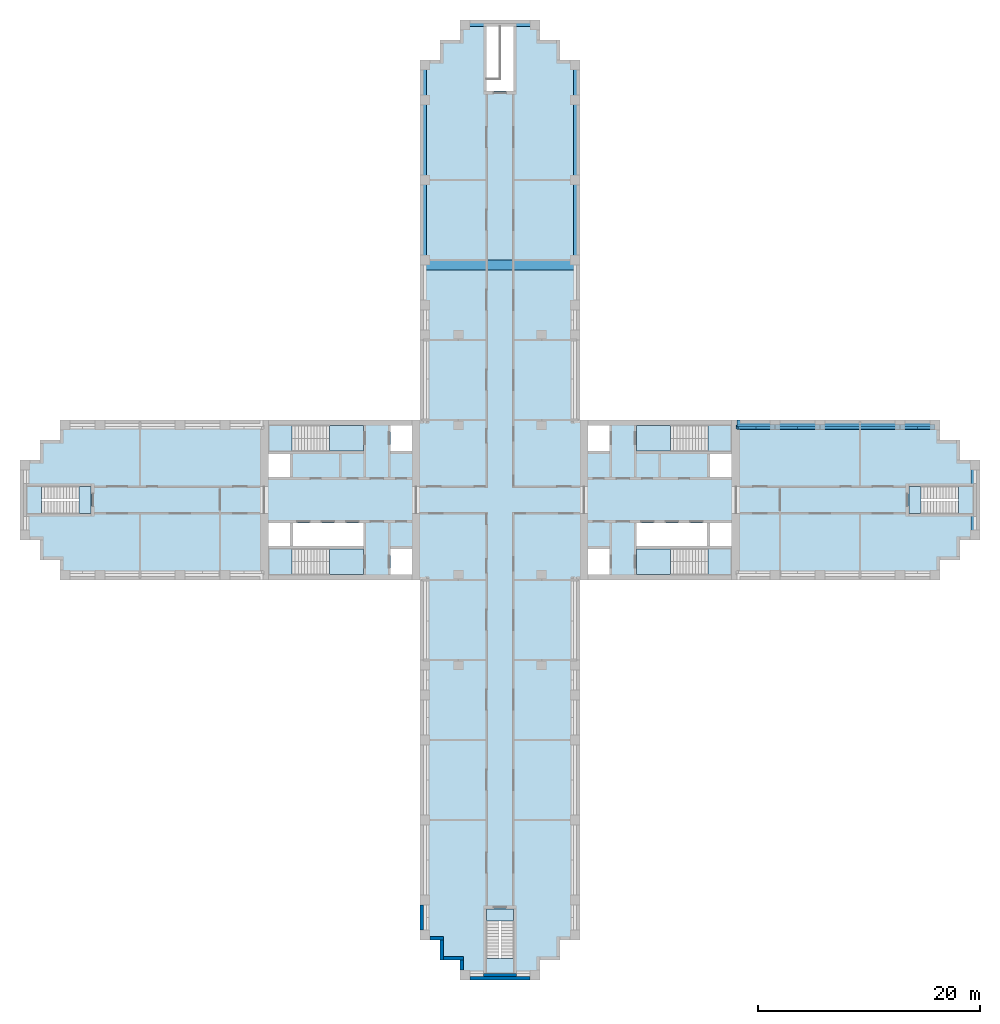
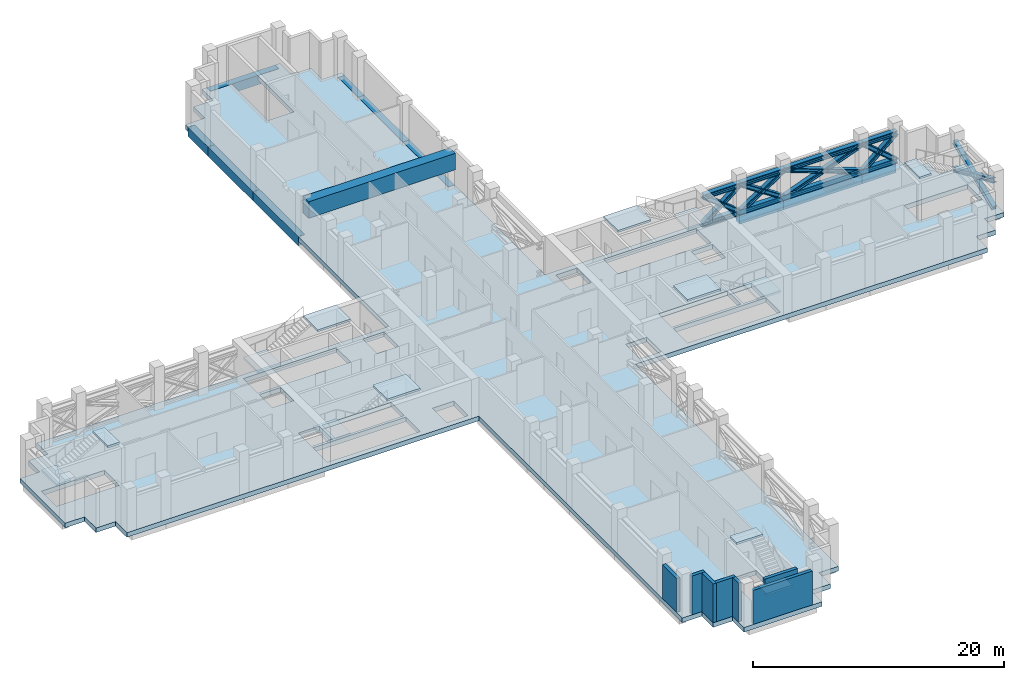
# One storey, part 3 of 10: 18 members, 15 slabs, 12 beams, 7 walls, 7 elements without a shape of their own.
"""IFC4 building model written with IfcOpenShell, lengths in metres."""

from ifc_helpers import new_model, si_unit, direction, frame, frame_2d, origin, origin_2d, place, context, subcontext, project, spatial, polyline, rectangle, i_section, outline, extrude, material, layer, layer_set, material_profile, profile_set, type_object, element, aggregate, save


model = new_model("IFC4")

# Units and contexts
model_context = context("Model", 3, precision=1e-05, world=origin(), true_north=direction((0.0, 1.0)))
body_context = subcontext(model_context, "Body", "Model", "MODEL_VIEW")
ifc_project = project(units=[si_unit("LENGTHUNIT", "METRE"), si_unit("AREAUNIT", "SQUARE_METRE"), si_unit("VOLUMEUNIT", "CUBIC_METRE"), si_unit("PLANEANGLEUNIT", "RADIAN"), si_unit("MASSUNIT", "GRAM", prefix="KILO")], contexts=[model_context])

# Site, building, storey
site_placement = place(None, origin())
site = spatial("IfcSite", under=ifc_project, at=site_placement, CompositionType="ELEMENT")
building_placement = place(site_placement, origin())
building = spatial("IfcBuilding", under=site, at=building_placement, Name="Fustian Cross Tower", CompositionType="ELEMENT")
storey_placement = place(building_placement, frame((0.0, 0.0, 62.699951171875)))
storey = spatial("IfcBuildingStorey", under=building, at=storey_placement, Name="L19", CompositionType="ELEMENT", Elevation=62.699951171875)

# Members
ifc_material_1 = material(Name="Steel S355", Category="steel")
ifc_material_profile_1 = material_profile(ifc_material_1, i_section(OverallWidth=0.403076171875, OverallDepth=0.406494140625, WebThickness=0.026611328125, FlangeThickness=0.04296875, FilletRadius=0.01513671875, at=origin_2d()), Name="UC 356x406x340")
ifc_profile_set_1 = profile_set([ifc_material_profile_1], Name="Steel S355")
member_type_1 = type_object("IfcMemberType", Name="BELT TRUSS BRACE UC 356x406x340 S355", PredefinedType="BRACE", material=ifc_profile_set_1)
for number, where, z_axis, x_axis, name in (
    (1, (42.570068359375, -3.14990234375, 0.400146484375), (0.0, 0.921109079708, 0.389304589339), (-1.0, 0.0, 0.0), "BELT TRUSS BRACE L19-05X"),
    (2, (42.570068359375, -3.14990234375, 3.062744140625), (0.0, 0.921109079708, -0.389304589339), (-1.0, 0.0, 0.0), "BELT TRUSS BRACE L19-05Y"),
):
    element("IfcMember", number, at=place(storey_placement, frame(where, z_axis=z_axis, x_axis=x_axis)), inside=storey, type_object=member_type_1, Name=name, PredefinedType="BRACE", context=body_context, shape_type="SweptSolid", body=[
        extrude(i_section(OverallWidth=0.403076171875, OverallDepth=0.406494140625, WebThickness=0.026611328125, FlangeThickness=0.04296875, FilletRadius=0.01513671875, at=origin_2d()), origin(), (0.0, 0.0, 1.0), 6.83935546875),
    ])
for number, where, z_axis, x_axis, name in (
    (3, (39.14990234375, 6.570068359375, 0.400146484375), (-0.763709506591, 0.0, 0.645560058819), (0.0, -1.0, 0.0), "BELT TRUSS BRACE L19-06X"),
    (4, (39.14990234375, 6.570068359375, 3.062744140625), (-0.763709506591, 0.0, -0.645560058819), (0.0, -1.0, 0.0), "BELT TRUSS BRACE L19-06Y"),
):
    element("IfcMember", number, at=place(storey_placement, frame(where, z_axis=z_axis, x_axis=x_axis)), inside=storey, type_object=member_type_1, Name=name, PredefinedType="BRACE", context=body_context, shape_type="SweptSolid", body=[
        extrude(i_section(OverallWidth=0.403076171875, OverallDepth=0.406494140625, WebThickness=0.026611328125, FlangeThickness=0.04296875, FilletRadius=0.01513671875, at=origin_2d()), origin(), (0.0, 0.0, 1.0), 4.12451171875),
    ])
for number, where, z_axis, x_axis, name in (
    (5, (36.0, 6.570068359375, 0.400146484375), (-0.937920515883, 0.0, 0.346850264359), (0.0, -1.0, 0.0), "BELT TRUSS BRACE L19-07X"),
    (6, (36.0, 6.570068359375, 3.062744140625), (-0.937920515883, 0.0, -0.346850264359), (0.0, -1.0, 0.0), "BELT TRUSS BRACE L19-07Y"),
):
    element("IfcMember", number, at=place(storey_placement, frame(where, z_axis=z_axis, x_axis=x_axis)), inside=storey, type_object=member_type_1, Name=name, PredefinedType="BRACE", context=body_context, shape_type="SweptSolid", body=[
        extrude(i_section(OverallWidth=0.403076171875, OverallDepth=0.406494140625, WebThickness=0.026611328125, FlangeThickness=0.04296875, FilletRadius=0.01513671875, at=origin_2d()), origin(), (0.0, 0.0, 1.0), 7.676513671875),
    ])
for number, where, z_axis, x_axis, name in (
    (7, (28.800048828125, 6.570068359375, 0.400146484375), (-0.835597801521, 0.0, 0.549341709771), (0.0, -1.0, 0.0), "BELT TRUSS BRACE L19-08X"),
    (8, (28.800048828125, 6.570068359375, 3.062744140625), (-0.835597801521, 0.0, -0.549341709771), (0.0, -1.0, 0.0), "BELT TRUSS BRACE L19-08Y"),
):
    element("IfcMember", number, at=place(storey_placement, frame(where, z_axis=z_axis, x_axis=x_axis)), inside=storey, type_object=member_type_1, Name=name, PredefinedType="BRACE", context=body_context, shape_type="SweptSolid", body=[
        extrude(i_section(OverallWidth=0.403076171875, OverallDepth=0.406494140625, WebThickness=0.026611328125, FlangeThickness=0.04296875, FilletRadius=0.01513671875, at=origin_2d()), origin(), (0.0, 0.0, 1.0), 4.846923828125),
    ])
for number, where, z_axis, x_axis, name in (
    (9, (24.75, 6.570068359375, 0.400146484375), (-0.787302149267, 0.0, 0.616567373252), (0.0, -1.0, 0.0), "BELT TRUSS BRACE L19-09X"),
    (10, (24.75, 6.570068359375, 3.062744140625), (-0.787302149267, 0.0, -0.616567373252), (0.0, -1.0, 0.0), "BELT TRUSS BRACE L19-09Y"),
):
    element("IfcMember", number, at=place(storey_placement, frame(where, z_axis=z_axis, x_axis=x_axis)), inside=storey, type_object=member_type_1, Name=name, PredefinedType="BRACE", context=body_context, shape_type="SweptSolid", body=[
        extrude(i_section(OverallWidth=0.403076171875, OverallDepth=0.406494140625, WebThickness=0.026611328125, FlangeThickness=0.04296875, FilletRadius=0.01513671875, at=origin_2d()), origin(), (0.0, 0.0, 1.0), 4.318359375),
    ])
ifc_material_2 = material(Name="Steel S355", Category="steel")
ifc_material_profile_2 = material_profile(ifc_material_2, i_section(OverallWidth=0.424072265625, OverallDepth=0.474609375, WebThickness=0.047607421875, FlangeThickness=0.076904296875, FilletRadius=0.01513671875, at=origin_2d()), Name="UC 356x406x634")
ifc_profile_set_2 = profile_set([ifc_material_profile_2], Name="Steel S355")
member_type_2 = type_object("IfcMemberType", Name="BELT TRUSS CHORD UC 356x406x634 S355", PredefinedType="CHORD", material=ifc_profile_set_2)
for number, where, z_axis, x_axis, name in (
    (11, (39.14990234375, 6.570068359375, 3.062744140625), (-1.0, 0.0, 0.0), (0.0, -1.0, 0.0), "BELT TRUSS CHORD L19-06"),
    (12, (39.14990234375, 6.570068359375, 0.400146484375), (-1.0, 0.0, 0.0), (0.0, -1.0, 0.0), "BELT TRUSS CHORD L19-06"),
):
    element("IfcMember", number, at=place(storey_placement, frame(where, z_axis=z_axis, x_axis=x_axis)), inside=storey, type_object=member_type_2, Name=name, PredefinedType="CHORD", context=body_context, shape_type="SweptSolid", body=[
        extrude(i_section(OverallWidth=0.424072265625, OverallDepth=0.474609375, WebThickness=0.047607421875, FlangeThickness=0.076904296875, FilletRadius=0.01513671875, at=origin_2d()), origin(), (0.0, 0.0, 1.0), 3.14990234375),
    ])
for number, where, z_axis, x_axis, name in (
    (13, (36.0, 6.570068359375, 3.062744140625), (-1.0, 0.0, 0.0), (0.0, -1.0, 0.0), "BELT TRUSS CHORD L19-07"),
    (14, (36.0, 6.570068359375, 0.400146484375), (-1.0, 0.0, 0.0), (0.0, -1.0, 0.0), "BELT TRUSS CHORD L19-07"),
):
    element("IfcMember", number, at=place(storey_placement, frame(where, z_axis=z_axis, x_axis=x_axis)), inside=storey, type_object=member_type_2, Name=name, PredefinedType="CHORD", context=body_context, shape_type="SweptSolid", body=[
        extrude(i_section(OverallWidth=0.424072265625, OverallDepth=0.474609375, WebThickness=0.047607421875, FlangeThickness=0.076904296875, FilletRadius=0.01513671875, at=origin_2d()), origin(), (0.0, 0.0, 1.0), 7.199951171875),
    ])
for number, where, z_axis, x_axis, name in (
    (15, (28.800048828125, 6.570068359375, 3.062744140625), (-1.0, 0.0, 0.0), (0.0, -1.0, 0.0), "BELT TRUSS CHORD L19-08"),
    (16, (28.800048828125, 6.570068359375, 0.400146484375), (-1.0, 0.0, 0.0), (0.0, -1.0, 0.0), "BELT TRUSS CHORD L19-08"),
):
    element("IfcMember", number, at=place(storey_placement, frame(where, z_axis=z_axis, x_axis=x_axis)), inside=storey, type_object=member_type_2, Name=name, PredefinedType="CHORD", context=body_context, shape_type="SweptSolid", body=[
        extrude(i_section(OverallWidth=0.424072265625, OverallDepth=0.474609375, WebThickness=0.047607421875, FlangeThickness=0.076904296875, FilletRadius=0.01513671875, at=origin_2d()), origin(), (0.0, 0.0, 1.0), 4.050048828125),
    ])
for number, where, z_axis, x_axis, name in (
    (17, (24.75, 6.570068359375, 3.062744140625), (-1.0, 0.0, 0.0), (0.0, -1.0, 0.0), "BELT TRUSS CHORD L19-09"),
    (18, (24.75, 6.570068359375, 0.400146484375), (-1.0, 0.0, 0.0), (0.0, -1.0, 0.0), "BELT TRUSS CHORD L19-09"),
):
    element("IfcMember", number, at=place(storey_placement, frame(where, z_axis=z_axis, x_axis=x_axis)), inside=storey, type_object=member_type_2, Name=name, PredefinedType="CHORD", context=body_context, shape_type="SweptSolid", body=[
        extrude(i_section(OverallWidth=0.424072265625, OverallDepth=0.474609375, WebThickness=0.047607421875, FlangeThickness=0.076904296875, FilletRadius=0.01513671875, at=origin_2d()), origin(), (0.0, 0.0, 1.0), 3.39990234375),
    ])

# Beams
ifc_material_3 = material(Name="Concrete C50/60", Category="concrete")
ifc_material_profile_3 = material_profile(ifc_material_3, rectangle(XDim=0.60009765625, YDim=0.89990234375, at=origin_2d()), Name="RC 600x900")
ifc_profile_set_3 = profile_set([ifc_material_profile_3], Name="Concrete C50/60")
beam_type_1 = type_object("IfcBeamType", Name="EDGE BEAM RC 600x900 C50/60", PredefinedType="SPANDREL", material=ifc_profile_set_3)
beam_1_placement = place(storey_placement, frame((39.14990234375, 6.89990234375, -0.449951171875), z_axis=(-1.0, 0.0, 0.0), x_axis=(0.0, -1.0, 0.0)))
element("IfcBeam", 19, at=beam_1_placement, inside=storey, type_object=beam_type_1, Name="EDGE BEAM L19-06", PredefinedType="SPANDREL", context=body_context, shape_type="SweptSolid", body=[
    extrude(rectangle(XDim=0.60009765625, YDim=0.89990234375, at=origin_2d()), origin(), (0.0, 0.0, 1.0), 3.14990234375),
])
beam_2_placement = place(storey_placement, frame((36.0, 6.89990234375, -0.449951171875), z_axis=(-1.0, 0.0, 0.0), x_axis=(0.0, -1.0, 0.0)))
element("IfcBeam", 20, at=beam_2_placement, inside=storey, type_object=beam_type_1, Name="EDGE BEAM L19-07", PredefinedType="SPANDREL", context=body_context, shape_type="SweptSolid", body=[
    extrude(rectangle(XDim=0.60009765625, YDim=0.89990234375, at=origin_2d()), origin(), (0.0, 0.0, 1.0), 7.199951171875),
])
beam_3_placement = place(storey_placement, frame((28.800048828125, 6.89990234375, -0.449951171875), z_axis=(-1.0, 0.0, 0.0), x_axis=(0.0, -1.0, 0.0)))
element("IfcBeam", 21, at=beam_3_placement, inside=storey, type_object=beam_type_1, Name="EDGE BEAM L19-08", PredefinedType="SPANDREL", context=body_context, shape_type="SweptSolid", body=[
    extrude(rectangle(XDim=0.60009765625, YDim=0.89990234375, at=origin_2d()), origin(), (0.0, 0.0, 1.0), 4.050048828125),
])
beam_4_placement = place(storey_placement, frame((24.75, 6.89990234375, -0.449951171875), z_axis=(-1.0, 0.0, 0.0), x_axis=(0.0, -1.0, 0.0)))
element("IfcBeam", 22, at=beam_4_placement, inside=storey, type_object=beam_type_1, Name="EDGE BEAM L19-09", PredefinedType="SPANDREL", context=body_context, shape_type="SweptSolid", body=[
    extrude(rectangle(XDim=0.60009765625, YDim=0.89990234375, at=origin_2d()), origin(), (0.0, 0.0, 1.0), 3.39990234375),
])
for number, where, z_axis, x_axis, name in (
    (23, (6.89990234375, 21.60009765625, -0.449951171875), (0.0, 1.0, 0.0), (-1.0, 0.0, 0.0), "EDGE BEAM L19-13"),
    (24, (6.89990234375, 28.800048828125, -0.449951171875), (0.0, 1.0, 0.0), (-1.0, 0.0, 0.0), "EDGE BEAM L19-14"),
):
    element("IfcBeam", number, at=place(storey_placement, frame(where, z_axis=z_axis, x_axis=x_axis)), inside=storey, type_object=beam_type_1, Name=name, PredefinedType="SPANDREL", context=body_context, shape_type="SweptSolid", body=[
        extrude(rectangle(XDim=0.60009765625, YDim=0.89990234375, at=origin_2d()), origin(), (0.0, 0.0, 1.0), 7.199951171875),
    ])
beam_5_placement = place(storey_placement, frame((6.89990234375, 36.0, -0.449951171875), z_axis=(0.0, 1.0, 0.0), x_axis=(-1.0, 0.0, 0.0)))
element("IfcBeam", 25, at=beam_5_placement, inside=storey, type_object=beam_type_1, Name="EDGE BEAM L19-15", PredefinedType="SPANDREL", context=body_context, shape_type="SweptSolid", body=[
    extrude(rectangle(XDim=0.60009765625, YDim=0.89990234375, at=origin_2d()), origin(), (0.0, 0.0, 1.0), 3.14990234375),
])
beam_6_placement = place(storey_placement, frame((3.14990234375, 42.89990234375, -0.449951171875), z_axis=(-1.0, 0.0, 0.0), x_axis=(0.0, -1.0, 0.0)))
element("IfcBeam", 26, at=beam_6_placement, inside=storey, type_object=beam_type_1, Name="EDGE BEAM L19-16", PredefinedType="SPANDREL", context=body_context, shape_type="SweptSolid", body=[
    extrude(rectangle(XDim=0.60009765625, YDim=0.89990234375, at=origin_2d()), origin(), (0.0, 0.0, 1.0), 6.2998046875),
])
beam_7_placement = place(storey_placement, frame((-6.89990234375, 39.14990234375, -0.449951171875), z_axis=(0.0, -1.0, 0.0), x_axis=(1.0, 0.0, 0.0)))
element("IfcBeam", 27, at=beam_7_placement, inside=storey, type_object=beam_type_1, Name="EDGE BEAM L19-17", PredefinedType="SPANDREL", context=body_context, shape_type="SweptSolid", body=[
    extrude(rectangle(XDim=0.60009765625, YDim=0.89990234375, at=origin_2d()), origin(), (0.0, 0.0, 1.0), 3.14990234375),
])
for number, where, z_axis, x_axis, name in (
    (28, (-6.89990234375, 36.0, -0.449951171875), (0.0, -1.0, 0.0), (1.0, 0.0, 0.0), "EDGE BEAM L19-18"),
    (29, (-6.89990234375, 28.800048828125, -0.449951171875), (0.0, -1.0, 0.0), (1.0, 0.0, 0.0), "EDGE BEAM L19-19"),
):
    element("IfcBeam", number, at=place(storey_placement, frame(where, z_axis=z_axis, x_axis=x_axis)), inside=storey, type_object=beam_type_1, Name=name, PredefinedType="SPANDREL", context=body_context, shape_type="SweptSolid", body=[
        extrude(rectangle(XDim=0.60009765625, YDim=0.89990234375, at=origin_2d()), origin(), (0.0, 0.0, 1.0), 7.199951171875),
    ])
ifc_material_4 = material(Name="Concrete C60/75", Category="concrete")
ifc_material_profile_4 = material_profile(ifc_material_4, rectangle(XDim=0.89990234375, YDim=1.60009765625, at=origin_2d()), Name="RC 900x1600")
ifc_profile_set_4 = profile_set([ifc_material_profile_4], Name="Concrete C60/75")
beam_type_2 = type_object("IfcBeamType", Name="TRANSFER GIRDER RC 900x1600 C60/75", PredefinedType="BEAM", material=ifc_profile_set_4)
beam_8_placement = place(storey_placement, frame((-6.75, 21.14990234375, 2.97509765625), z_axis=(1.0, 0.0, 0.0), x_axis=(0.0, 1.0, 0.0)))
element("IfcBeam", 30, at=beam_8_placement, inside=storey, type_object=beam_type_2, Name="TRANSFER GIRDER L19", PredefinedType="BEAM", context=body_context, shape_type="SweptSolid", body=[
    extrude(rectangle(XDim=0.89990234375, YDim=1.60009765625, at=origin_2d()), origin(), (0.0, 0.0, 1.0), 13.5),
])

# Slab
ifc_material_5 = material(Name="Concrete C40/50", Category="concrete")
ifc_layer_1 = layer(ifc_material_5, 0.449951171875)
ifc_layer_set_1 = layer_set([ifc_layer_1], Name="Concrete C40/50")
slab_type_1 = type_object("IfcSlabType", Name="FLAT SLAB 450", PredefinedType="FLOOR", material=ifc_layer_set_1)
slab_1_placement = place(storey_placement, frame((0.0, 0.0, -0.449951171875)))
element("IfcSlab", 31, at=slab_1_placement, inside=storey, type_object=slab_type_1, Name="FLOOR SLAB L19-1", PredefinedType="FLOOR", context=body_context, shape_type="SweptSolid", body=[
    extrude(outline(polyline([(-43.199951171875, 3.60009765625), (-41.39990234375, 3.60009765625), (-41.39990234375, 5.39990234375), (-39.60009765625, 5.39990234375), (-39.60009765625, 7.199951171875), (-7.199951171875, 7.199951171875), (-7.199951171875, 39.60009765625), (-5.39990234375, 39.60009765625), (-5.39990234375, 41.39990234375), (-3.60009765625, 41.39990234375), (-3.60009765625, 43.199951171875), (3.60009765625, 43.199951171875), (3.60009765625, 41.39990234375), (5.39990234375, 41.39990234375), (5.39990234375, 39.60009765625), (7.199951171875, 39.60009765625), (7.199951171875, 7.199951171875), (39.60009765625, 7.199951171875), (39.60009765625, 5.39990234375), (41.39990234375, 5.39990234375), (41.39990234375, 3.60009765625), (43.199951171875, 3.60009765625), (43.199951171875, -3.60009765625), (41.39990234375, -3.60009765625), (41.39990234375, -5.39990234375), (39.60009765625, -5.39990234375), (39.60009765625, -7.199951171875), (7.199951171875, -7.199951171875), (7.199951171875, -39.60009765625), (5.39990234375, -39.60009765625), (5.39990234375, -41.39990234375), (3.60009765625, -41.39990234375), (3.60009765625, -43.199951171875), (-3.60009765625, -43.199951171875), (-3.60009765625, -41.39990234375), (-5.39990234375, -41.39990234375), (-5.39990234375, -39.60009765625), (-7.199951171875, -39.60009765625), (-7.199951171875, -7.199951171875), (-39.60009765625, -7.199951171875), (-39.60009765625, -5.39990234375), (-41.39990234375, -5.39990234375), (-41.39990234375, -3.60009765625), (-43.199951171875, -3.60009765625), (-43.199951171875, 3.60009765625)]), holes=[polyline([(18.89990234375, -2.050048828125), (18.89990234375, -4.14990234375), (20.85009765625, -4.14990234375), (20.85009765625, -2.050048828125), (18.89990234375, -2.050048828125)]), polyline([(20.85009765625, 4.14990234375), (18.89990234375, 4.14990234375), (18.89990234375, 2.050048828125), (20.85009765625, 2.050048828125), (20.85009765625, 4.14990234375)]), polyline([(9.85009765625, 4.39990234375), (9.85009765625, 6.699951171875), (7.89990234375, 6.699951171875), (7.89990234375, 4.39990234375), (9.85009765625, 4.39990234375)]), polyline([(7.89990234375, -6.699951171875), (9.85009765625, -6.699951171875), (9.85009765625, -4.39990234375), (7.89990234375, -4.39990234375), (7.89990234375, -6.699951171875)]), polyline([(-20.85009765625, -2.050048828125), (-20.85009765625, -4.14990234375), (-18.89990234375, -4.14990234375), (-18.89990234375, -2.050048828125), (-20.85009765625, -2.050048828125)]), polyline([(-18.89990234375, 4.14990234375), (-20.85009765625, 4.14990234375), (-20.85009765625, 2.050048828125), (-18.89990234375, 2.050048828125), (-18.89990234375, 4.14990234375)]), polyline([(-7.89990234375, 4.39990234375), (-7.89990234375, 6.699951171875), (-9.85009765625, 6.699951171875), (-9.85009765625, 4.39990234375), (-7.89990234375, 4.39990234375)]), polyline([(-9.85009765625, -6.699951171875), (-7.89990234375, -6.699951171875), (-7.89990234375, -4.39990234375), (-9.85009765625, -4.39990234375), (-9.85009765625, -6.699951171875)]), polyline([(12.300048828125, -2.050048828125), (12.300048828125, -4.14990234375), (18.64990234375, -4.14990234375), (18.64990234375, -2.050048828125), (12.300048828125, -2.050048828125)]), polyline([(-12.300048828125, -2.050048828125), (-18.64990234375, -2.050048828125), (-18.64990234375, -4.14990234375), (-12.300048828125, -4.14990234375), (-12.300048828125, -2.050048828125)]), polyline([(20.85009765625, 4.39990234375), (20.85009765625, 6.699951171875), (12.300048828125, 6.699951171875), (12.300048828125, 4.39990234375), (20.85009765625, 4.39990234375)]), polyline([(12.300048828125, -6.699951171875), (20.85009765625, -6.699951171875), (20.85009765625, -4.39990234375), (12.300048828125, -4.39990234375), (12.300048828125, -6.699951171875)]), polyline([(-20.85009765625, 6.699951171875), (-20.85009765625, 4.39990234375), (-12.300048828125, 4.39990234375), (-12.300048828125, 6.699951171875), (-20.85009765625, 6.699951171875)]), polyline([(-12.300048828125, -4.39990234375), (-20.85009765625, -4.39990234375), (-20.85009765625, -6.699951171875), (-12.300048828125, -6.699951171875), (-12.300048828125, -4.39990234375)]), polyline([(1.199951171875, 36.800048828125), (1.199951171875, 42.60009765625), (-1.199951171875, 42.60009765625), (-1.199951171875, 36.800048828125), (1.199951171875, 36.800048828125)]), polyline([(-1.199951171875, -42.60009765625), (1.199951171875, -42.60009765625), (1.199951171875, -36.800048828125), (-1.199951171875, -36.800048828125), (-1.199951171875, -42.60009765625)]), polyline([(36.800048828125, 1.199951171875), (36.800048828125, -1.199951171875), (42.60009765625, -1.199951171875), (42.60009765625, 1.199951171875), (36.800048828125, 1.199951171875)]), polyline([(-36.800048828125, 1.199951171875), (-42.60009765625, 1.199951171875), (-42.60009765625, -1.199951171875), (-36.800048828125, -1.199951171875), (-36.800048828125, 1.199951171875)])]), origin(), (0.0, 0.0, 1.0), 0.449951171875),
])

# Stair, slabs
ifc_material_6 = material(Name="Concrete C50/60", Category="concrete")
stair_type_1 = type_object("IfcStairType", Name="STAIR 1150 HALF TURN", PredefinedType="HALF_TURN_STAIR", material=ifc_material_6)
stair_1_placement = place(storey_placement, origin())
stair_1 = element("IfcStair", 32, at=stair_1_placement, inside=storey, type_object=stair_type_1, Name="Stair ST1", PredefinedType="HALF_TURN_STAIR")
ifc_material_7 = material(Name="Concrete C50/60", Category="concrete")
ifc_layer_2 = layer(ifc_material_7, 0.199951171875)
ifc_layer_set_2 = layer_set([ifc_layer_2], Name="Concrete C50/60")
slab_type_2 = type_object("IfcSlabType", Name="STAIR LANDING", PredefinedType="LANDING", material=ifc_layer_set_2)
slab_2_placement = place(storey_placement, frame((0.0, 0.0, 1.900146484375)))
slab_2 = element("IfcSlab", 33, at=slab_2_placement, type_object=slab_type_2, Name="ST1 landing 1", PredefinedType="LANDING", context=body_context, shape_type="SweptSolid", body=[
    extrude(outline(polyline([(18.7099609375, 4.39990234375), (20.85009765625, 4.39990234375), (20.85009765625, 6.699951171875), (18.7099609375, 6.699951171875), (18.7099609375, 4.39990234375)])), origin(), (0.0, 0.0, 1.0), 0.199951171875),
])
slab_3_placement = place(storey_placement, frame((0.0, 0.0, 4.0)))
slab_3 = element("IfcSlab", 34, at=slab_3_placement, type_object=slab_type_2, Name="ST1 landing 2", PredefinedType="LANDING", context=body_context, shape_type="SweptSolid", body=[
    extrude(outline(polyline([(12.300048828125, 4.39990234375), (15.35009765625, 4.39990234375), (15.35009765625, 6.699951171875), (12.300048828125, 6.699951171875), (12.300048828125, 4.39990234375)])), origin(), (0.0, 0.0, 1.0), 0.199951171875),
])
aggregate(stair_1, [slab_2, slab_3])

stair_2_placement = place(storey_placement, origin())
stair_2 = element("IfcStair", 35, at=stair_2_placement, inside=storey, type_object=stair_type_1, Name="Stair ST2", PredefinedType="HALF_TURN_STAIR")
slab_4_placement = place(storey_placement, frame((0.0, 0.0, 1.900146484375)))
slab_4 = element("IfcSlab", 36, at=slab_4_placement, type_object=slab_type_2, Name="ST2 landing 1", PredefinedType="LANDING", context=body_context, shape_type="SweptSolid", body=[
    extrude(outline(polyline([(18.7099609375, -4.39990234375), (20.85009765625, -4.39990234375), (20.85009765625, -6.699951171875), (18.7099609375, -6.699951171875), (18.7099609375, -4.39990234375)])), origin(), (0.0, 0.0, 1.0), 0.199951171875),
])
slab_5_placement = place(storey_placement, frame((0.0, 0.0, 4.0)))
slab_5 = element("IfcSlab", 37, at=slab_5_placement, type_object=slab_type_2, Name="ST2 landing 2", PredefinedType="LANDING", context=body_context, shape_type="SweptSolid", body=[
    extrude(outline(polyline([(12.300048828125, -4.39990234375), (15.35009765625, -4.39990234375), (15.35009765625, -6.699951171875), (12.300048828125, -6.699951171875), (12.300048828125, -4.39990234375)])), origin(), (0.0, 0.0, 1.0), 0.199951171875),
])
aggregate(stair_2, [slab_4, slab_5])

stair_3_placement = place(storey_placement, origin())
stair_3 = element("IfcStair", 38, at=stair_3_placement, inside=storey, type_object=stair_type_1, Name="Stair ST3", PredefinedType="HALF_TURN_STAIR")
slab_6_placement = place(storey_placement, frame((0.0, 0.0, 1.900146484375)))
slab_6 = element("IfcSlab", 39, at=slab_6_placement, type_object=slab_type_2, Name="ST3 landing 1", PredefinedType="LANDING", context=body_context, shape_type="SweptSolid", body=[
    extrude(outline(polyline([(-18.7099609375, 4.39990234375), (-20.85009765625, 4.39990234375), (-20.85009765625, 6.699951171875), (-18.7099609375, 6.699951171875), (-18.7099609375, 4.39990234375)])), origin(), (0.0, 0.0, 1.0), 0.199951171875),
])
slab_7_placement = place(storey_placement, frame((0.0, 0.0, 4.0)))
slab_7 = element("IfcSlab", 40, at=slab_7_placement, type_object=slab_type_2, Name="ST3 landing 2", PredefinedType="LANDING", context=body_context, shape_type="SweptSolid", body=[
    extrude(outline(polyline([(-12.300048828125, 4.39990234375), (-15.35009765625, 4.39990234375), (-15.35009765625, 6.699951171875), (-12.300048828125, 6.699951171875), (-12.300048828125, 4.39990234375)])), origin(), (0.0, 0.0, 1.0), 0.199951171875),
])
aggregate(stair_3, [slab_6, slab_7])

stair_4_placement = place(storey_placement, origin())
stair_4 = element("IfcStair", 41, at=stair_4_placement, inside=storey, type_object=stair_type_1, Name="Stair ST4", PredefinedType="HALF_TURN_STAIR")
slab_8_placement = place(storey_placement, frame((0.0, 0.0, 1.900146484375)))
slab_8 = element("IfcSlab", 42, at=slab_8_placement, type_object=slab_type_2, Name="ST4 landing 1", PredefinedType="LANDING", context=body_context, shape_type="SweptSolid", body=[
    extrude(outline(polyline([(-18.7099609375, -4.39990234375), (-20.85009765625, -4.39990234375), (-20.85009765625, -6.699951171875), (-18.7099609375, -6.699951171875), (-18.7099609375, -4.39990234375)])), origin(), (0.0, 0.0, 1.0), 0.199951171875),
])
slab_9_placement = place(storey_placement, frame((0.0, 0.0, 4.0)))
slab_9 = element("IfcSlab", 43, at=slab_9_placement, type_object=slab_type_2, Name="ST4 landing 2", PredefinedType="LANDING", context=body_context, shape_type="SweptSolid", body=[
    extrude(outline(polyline([(-12.300048828125, -4.39990234375), (-15.35009765625, -4.39990234375), (-15.35009765625, -6.699951171875), (-12.300048828125, -6.699951171875), (-12.300048828125, -4.39990234375)])), origin(), (0.0, 0.0, 1.0), 0.199951171875),
])
aggregate(stair_4, [slab_8, slab_9])

ifc_material_8 = material(Name="Concrete C50/60", Category="concrete")
stair_type_2 = type_object("IfcStairType", Name="STAIR 1100 HALF TURN", PredefinedType="HALF_TURN_STAIR", material=ifc_material_8)
stair_5_placement = place(storey_placement, origin())
stair_5 = element("IfcStair", 44, at=stair_5_placement, inside=storey, type_object=stair_type_2, Name="Stair ST6", PredefinedType="HALF_TURN_STAIR")
slab_10_placement = place(storey_placement, frame((0.0, 0.0, 1.900146484375)))
slab_10 = element("IfcSlab", 45, at=slab_10_placement, type_object=slab_type_2, Name="ST6 landing 1", PredefinedType="LANDING", context=body_context, shape_type="SweptSolid", body=[
    extrude(outline(polyline([(-1.199951171875, -41.260009765625), (-1.199951171875, -42.60009765625), (1.199951171875, -42.60009765625), (1.199951171875, -41.260009765625), (-1.199951171875, -41.260009765625)])), origin(), (0.0, 0.0, 1.0), 0.199951171875),
])
slab_11_placement = place(storey_placement, frame((0.0, 0.0, 4.0)))
slab_11 = element("IfcSlab", 46, at=slab_11_placement, type_object=slab_type_2, Name="ST6 landing 2", PredefinedType="LANDING", context=body_context, shape_type="SweptSolid", body=[
    extrude(outline(polyline([(-1.199951171875, -36.800048828125), (-1.199951171875, -37.89990234375), (1.199951171875, -37.89990234375), (1.199951171875, -36.800048828125), (-1.199951171875, -36.800048828125)])), origin(), (0.0, 0.0, 1.0), 0.199951171875),
])
aggregate(stair_5, [slab_10, slab_11])

stair_6_placement = place(storey_placement, origin())
stair_6 = element("IfcStair", 47, at=stair_6_placement, inside=storey, type_object=stair_type_2, Name="Stair ST8", PredefinedType="HALF_TURN_STAIR")
slab_12_placement = place(storey_placement, frame((0.0, 0.0, 1.900146484375)))
slab_12 = element("IfcSlab", 48, at=slab_12_placement, type_object=slab_type_2, Name="ST8 landing 1", PredefinedType="LANDING", context=body_context, shape_type="SweptSolid", body=[
    extrude(outline(polyline([(41.260009765625, -1.199951171875), (42.60009765625, -1.199951171875), (42.60009765625, 1.199951171875), (41.260009765625, 1.199951171875), (41.260009765625, -1.199951171875)])), origin(), (0.0, 0.0, 1.0), 0.199951171875),
])
slab_13_placement = place(storey_placement, frame((0.0, 0.0, 4.0)))
slab_13 = element("IfcSlab", 49, at=slab_13_placement, type_object=slab_type_2, Name="ST8 landing 2", PredefinedType="LANDING", context=body_context, shape_type="SweptSolid", body=[
    extrude(outline(polyline([(36.800048828125, -1.199951171875), (37.89990234375, -1.199951171875), (37.89990234375, 1.199951171875), (36.800048828125, 1.199951171875), (36.800048828125, -1.199951171875)])), origin(), (0.0, 0.0, 1.0), 0.199951171875),
])
aggregate(stair_6, [slab_12, slab_13])

stair_7_placement = place(storey_placement, origin())
stair_7 = element("IfcStair", 50, at=stair_7_placement, inside=storey, type_object=stair_type_2, Name="Stair ST9", PredefinedType="HALF_TURN_STAIR")
slab_14_placement = place(storey_placement, frame((0.0, 0.0, 1.900146484375)))
slab_14 = element("IfcSlab", 51, at=slab_14_placement, type_object=slab_type_2, Name="ST9 landing 1", PredefinedType="LANDING", context=body_context, shape_type="SweptSolid", body=[
    extrude(outline(polyline([(-41.260009765625, -1.199951171875), (-42.60009765625, -1.199951171875), (-42.60009765625, 1.199951171875), (-41.260009765625, 1.199951171875), (-41.260009765625, -1.199951171875)])), origin(), (0.0, 0.0, 1.0), 0.199951171875),
])
slab_15_placement = place(storey_placement, frame((0.0, 0.0, 4.0)))
slab_15 = element("IfcSlab", 52, at=slab_15_placement, type_object=slab_type_2, Name="ST9 landing 2", PredefinedType="LANDING", context=body_context, shape_type="SweptSolid", body=[
    extrude(outline(polyline([(-36.800048828125, -1.199951171875), (-37.89990234375, -1.199951171875), (-37.89990234375, 1.199951171875), (-36.800048828125, 1.199951171875), (-36.800048828125, -1.199951171875)])), origin(), (0.0, 0.0, 1.0), 0.199951171875),
])
aggregate(stair_7, [slab_14, slab_15])

# Walls
ifc_material_9 = material(Name="Concrete C50/60", Category="concrete")
ifc_layer_3 = layer(ifc_material_9, 0.300048828125)
ifc_layer_set_3 = layer_set([ifc_layer_3], Name="Concrete C50/60")
wall_type_1 = type_object("IfcWallType", Name="STAIR ENCLOSURE WALL 300 C50/60", PredefinedType="SHEAR", material=ifc_layer_set_3)
wall_1_placement = place(storey_placement, frame((-1.5, -42.75, 0.0), z_axis=(0.0, 0.0, 1.0), x_axis=(1.0, 0.0, 0.0)))
element("IfcWall", 53, at=wall_1_placement, inside=storey, type_object=wall_type_1, Name="Stair enclosure wall", PredefinedType="SHEAR", context=body_context, shape_type="SweptSolid", body=[
    extrude(rectangle(XDim=3.0, YDim=0.300048828125, at=frame_2d((1.5, 0.0))), origin(), (0.0, 0.0, 1.0), 3.775146484375),
])
ifc_material_10 = material(Name="Dark aluminium louvres on insulated backing wall", Category="aluminium")
ifc_layer_4 = layer(ifc_material_10, 0.300048828125)
ifc_layer_set_4 = layer_set([ifc_layer_4], Name="Dark aluminium louvres on insulated backing wall")
wall_type_2 = type_object("IfcWallType", Name="XW2 LOUVRED PLANT WALL 300", PredefinedType="SOLIDWALL", material=ifc_layer_set_4)
wall_2_placement = place(storey_placement, frame((-7.050048828125, -36.449951171875, 0.0), z_axis=(0.0, 0.0, 1.0), x_axis=(0.0, -1.0, 0.0)))
element("IfcWall", 54, at=wall_2_placement, inside=storey, type_object=wall_type_2, Name="Plant louvre wall", PredefinedType="SOLIDWALL", context=body_context, shape_type="SweptSolid", body=[
    extrude(rectangle(XDim=2.25, YDim=0.300048828125, at=frame_2d((1.125, 0.0))), origin(), (0.0, 0.0, 1.0), 3.300048828125),
])
wall_3_placement = place(storey_placement, frame((-6.300048828125, -39.449951171875, 0.0), z_axis=(0.0, 0.0, 1.0), x_axis=(1.0, 0.0, 0.0)))
element("IfcWall", 55, at=wall_3_placement, inside=storey, type_object=wall_type_2, Name="Plant louvre wall", PredefinedType="SOLIDWALL", context=body_context, shape_type="SweptSolid", body=[
    extrude(rectangle(XDim=1.199951171875, YDim=0.300048828125, at=frame_2d((0.60009765625, 0.0))), origin(), (0.0, 0.0, 1.0), 3.775146484375),
])
wall_4_placement = place(storey_placement, frame((-5.25, -39.60009765625, 0.0), z_axis=(0.0, 0.0, 1.0), x_axis=(0.0, -1.0, 0.0)))
element("IfcWall", 56, at=wall_4_placement, inside=storey, type_object=wall_type_2, Name="Plant louvre wall", PredefinedType="SOLIDWALL", context=body_context, shape_type="SweptSolid", body=[
    extrude(rectangle(XDim=1.7998046875, YDim=0.300048828125, at=frame_2d((0.89990234375, 0.0))), origin(), (0.0, 0.0, 1.0), 3.775146484375),
])
wall_5_placement = place(storey_placement, frame((-5.10009765625, -41.25, 0.0), z_axis=(0.0, 0.0, 1.0), x_axis=(1.0, 0.0, 0.0)))
element("IfcWall", 57, at=wall_5_placement, inside=storey, type_object=wall_type_2, Name="Plant louvre wall", PredefinedType="SOLIDWALL", context=body_context, shape_type="SweptSolid", body=[
    extrude(rectangle(XDim=1.800048828125, YDim=0.300048828125, at=frame_2d((0.89990234375, 0.0))), origin(), (0.0, 0.0, 1.0), 3.775146484375),
])
wall_6_placement = place(storey_placement, frame((-3.449951171875, -41.39990234375, 0.0), z_axis=(0.0, 0.0, 1.0), x_axis=(0.0, -1.0, 0.0)))
element("IfcWall", 58, at=wall_6_placement, inside=storey, type_object=wall_type_2, Name="Plant louvre wall", PredefinedType="SOLIDWALL", context=body_context, shape_type="SweptSolid", body=[
    extrude(rectangle(XDim=0.900146484375, YDim=0.300048828125, at=frame_2d((0.4501953125, 0.0))), origin(), (0.0, 0.0, 1.0), 3.775146484375),
])
wall_7_placement = place(storey_placement, frame((-2.699951171875, -43.050048828125, 0.0), z_axis=(0.0, 0.0, 1.0), x_axis=(1.0, 0.0, 0.0)))
element("IfcWall", 59, at=wall_7_placement, inside=storey, type_object=wall_type_2, Name="Plant louvre wall", PredefinedType="SOLIDWALL", context=body_context, shape_type="SweptSolid", body=[
    extrude(rectangle(XDim=5.39990234375, YDim=0.300048828125, at=frame_2d((2.699951171875, 0.0))), origin(), (0.0, 0.0, 1.0), 3.300048828125),
])

save(model, "model.ifc")
